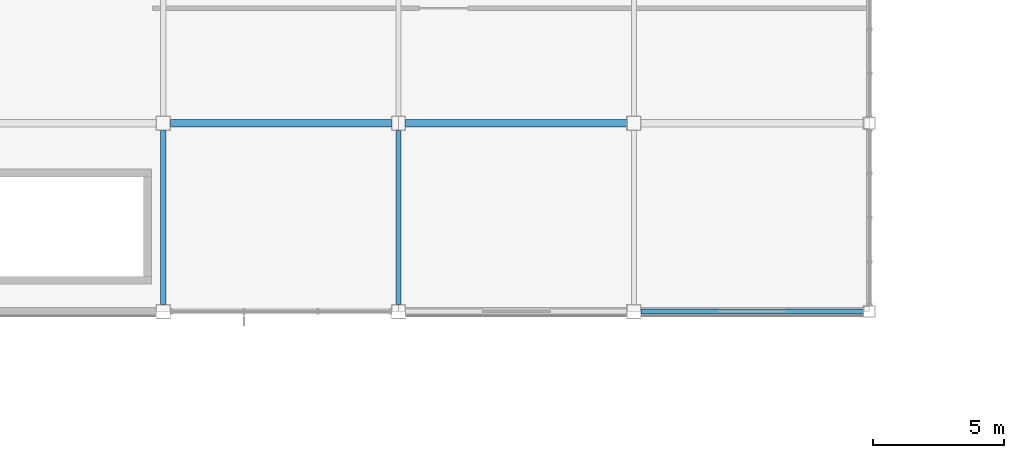
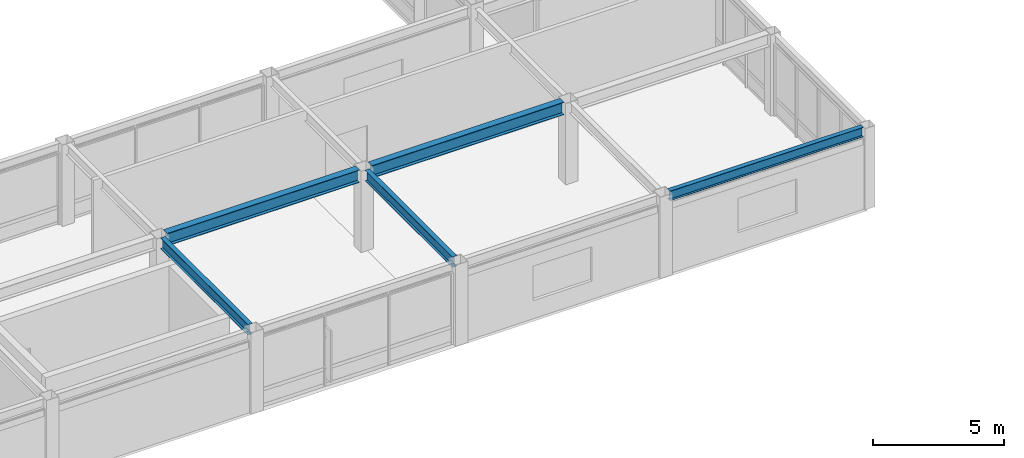
# One storey, part 40 of 113: 5 beams.
"""IFC4 building model written with IfcOpenShell, lengths in metres."""

from ifc_helpers import new_model, si_unit, direction, frame, origin, origin_2d, place, context, subcontext, project, spatial, i_section, extrude, material, material_profile, profile_set, type_object, element, save


model = new_model("IFC4")

# Units and contexts
model_context = context("Model", 3, precision=1e-05, world=origin(), true_north=direction((0.0, 1.0)))
body_context = subcontext(model_context, "Body", "Model", "MODEL_VIEW")
ifc_project = project(units=[si_unit("LENGTHUNIT", "METRE"), si_unit("AREAUNIT", "SQUARE_METRE"), si_unit("VOLUMEUNIT", "CUBIC_METRE"), si_unit("PLANEANGLEUNIT", "RADIAN"), si_unit("MASSUNIT", "GRAM", prefix="KILO")], contexts=[model_context])

# Site, building, storey
site_placement = place(None, origin())
site = spatial("IfcSite", under=ifc_project, at=site_placement, CompositionType="ELEMENT")
building_placement = place(site_placement, origin())
building = spatial("IfcBuilding", under=site, at=building_placement, Name="Kazanami Central Library", CompositionType="ELEMENT")
storey_placement = place(building_placement, frame((0.0, 0.0, 8.800048828125)))
storey = spatial("IfcBuildingStorey", under=building, at=storey_placement, Name="L03", CompositionType="ELEMENT", Elevation=8.800048828125)

# Beams
ifc_material = material(Name="Steel SN490B (325 MPa)", Category="steel")
ifc_material_profile_1 = material_profile(ifc_material, i_section(OverallWidth=0.300048828125, OverallDepth=0.587890625, WebThickness=0.011962890625, FlangeThickness=0.02001953125, at=origin_2d()), Name="H-588x300x12x20")
ifc_profile_set_1 = profile_set([ifc_material_profile_1], Name="Steel SN490B (325 MPa)")
beam_type_1 = type_object("IfcBeamType", Name="BM-G-X2", PredefinedType="BEAM", material=ifc_profile_set_1)
for number, where, z_axis, x_axis, name in (
    (1, (81.27294921875, 28.800048828125, 3.48583984375), (1.0, 0.0, 0.0), (0.0, 1.0, 0.0), "Girder G-X2 L03 E/10-11"),
    (2, (90.27294921875, 28.800048828125, 3.48583984375), (1.0, 0.0, 0.0), (0.0, 1.0, 0.0), "Girder G-X2 L03 E/11-12"),
):
    element("IfcBeam", number, at=place(storey_placement, frame(where, z_axis=z_axis, x_axis=x_axis)), inside=storey, type_object=beam_type_1, Name=name, PredefinedType="BEAM", context=body_context, shape_type="SweptSolid", body=[
        extrude(i_section(OverallWidth=0.300048828125, OverallDepth=0.587890625, WebThickness=0.011962890625, FlangeThickness=0.02001953125, at=origin_2d()), origin(), (0.0, 0.0, 1.0), 8.4541015625),
    ])
ifc_material_profile_2 = material_profile(ifc_material, i_section(OverallWidth=0.199951171875, OverallDepth=0.5, WebThickness=0.010009765625, FlangeThickness=0.01611328125, at=origin_2d()), Name="H-500x200x10x16")
ifc_profile_set_2 = profile_set([ifc_material_profile_2], Name="Steel SN490B (325 MPa)")
beam_type_2 = type_object("IfcBeamType", Name="BM-G-Y2", PredefinedType="BEAM", material=ifc_profile_set_2)
for number, where, z_axis, x_axis, name in (
    (3, (81.0, 21.873046875, 3.530029296875), (0.0, 1.0, 0.0), (-1.0, 0.0, 0.0), "Girder G-Y2 L03 10/D-E"),
    (4, (90.0, 21.873046875, 3.530029296875), (0.0, 1.0, 0.0), (-1.0, 0.0, 0.0), "Girder G-Y2 L03 11/D-E"),
):
    element("IfcBeam", number, at=place(storey_placement, frame(where, z_axis=z_axis, x_axis=x_axis)), inside=storey, type_object=beam_type_2, Name=name, PredefinedType="BEAM", context=body_context, shape_type="SweptSolid", body=[
        extrude(i_section(OverallWidth=0.199951171875, OverallDepth=0.5, WebThickness=0.010009765625, FlangeThickness=0.01611328125, at=origin_2d()), origin(), (0.0, 0.0, 1.0), 6.654052734375),
    ])
ifc_material_profile_3 = material_profile(ifc_material, i_section(OverallWidth=0.199951171875, OverallDepth=0.449951171875, WebThickness=0.009033203125, FlangeThickness=0.013916015625, at=origin_2d()), Name="H-450x200x9x14")
ifc_profile_set_3 = profile_set([ifc_material_profile_3], Name="Steel SN490B (325 MPa)")
beam_type_3 = type_object("IfcBeamType", Name="BM-SP-2", PredefinedType="SPANDREL", material=ifc_profile_set_3)
beam_placement = place(storey_placement, frame((99.27294921875, 21.60009765625, 3.554931640625), z_axis=(1.0, 0.0, 0.0), x_axis=(0.0, 1.0, 0.0)))
element("IfcBeam", 5, at=beam_placement, inside=storey, type_object=beam_type_3, Name="Girder SP-2 L03 D/12-13", PredefinedType="SPANDREL", context=body_context, shape_type="SweptSolid", body=[
    extrude(i_section(OverallWidth=0.199951171875, OverallDepth=0.449951171875, WebThickness=0.009033203125, FlangeThickness=0.013916015625, at=origin_2d()), origin(), (0.0, 0.0, 1.0), 8.504150390625),
])

save(model, "model.ifc")
